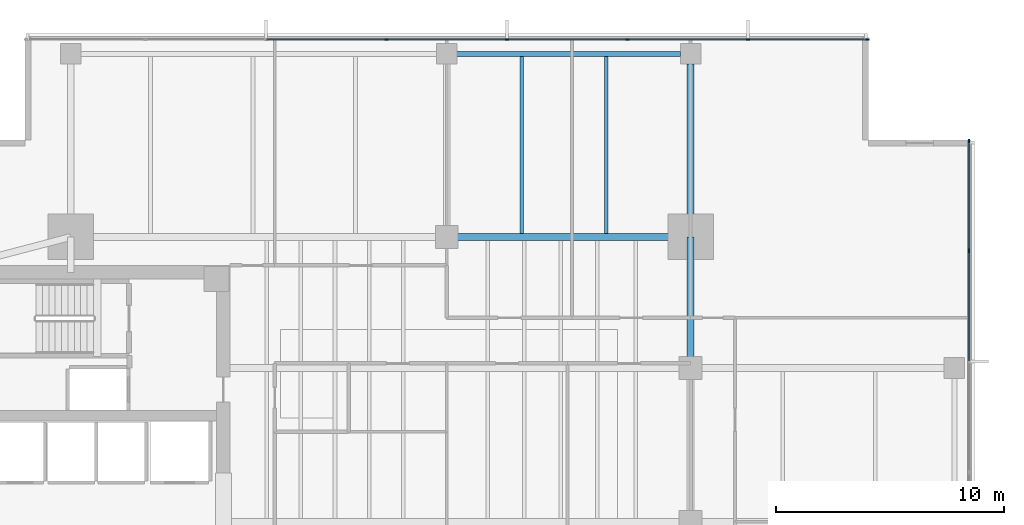
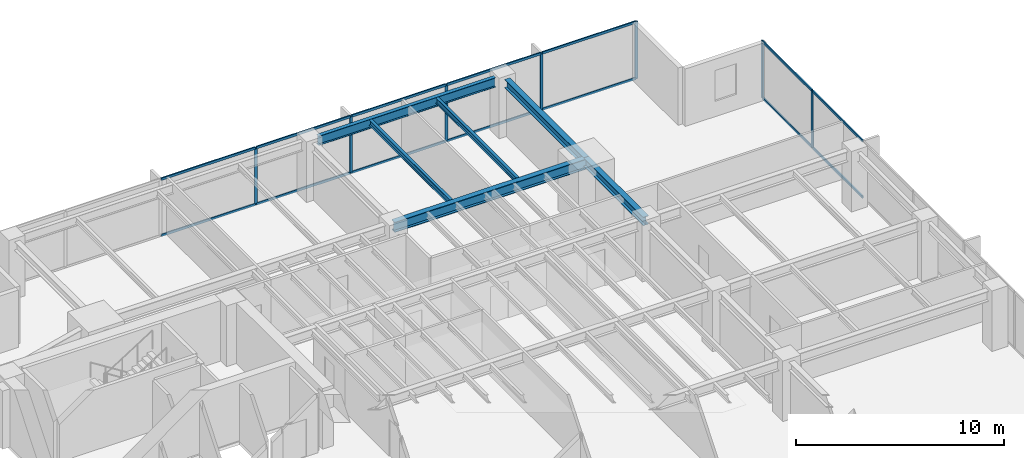
# One storey, part 6 of 14: 21 members, 6 beams, 2 elements without a shape of their own.
"""IFC4 building model written with IfcOpenShell, lengths in metres."""

from ifc_helpers import new_model, si_unit, direction, frame, origin, origin_2d, place, context, subcontext, project, spatial, rectangle, i_section, extrude, material, layer, layer_set, material_profile, profile_set, type_object, element, aggregate, save


model = new_model("IFC4")

# Units and contexts
model_context = context("Model", 3, precision=1e-05, world=origin(), true_north=direction((0.0, 1.0)))
body_context = subcontext(model_context, "Body", "Model", "MODEL_VIEW")
ifc_project = project(units=[si_unit("LENGTHUNIT", "METRE"), si_unit("AREAUNIT", "SQUARE_METRE"), si_unit("VOLUMEUNIT", "CUBIC_METRE"), si_unit("PLANEANGLEUNIT", "RADIAN"), si_unit("MASSUNIT", "GRAM", prefix="KILO")], contexts=[model_context])

# Site, building, storey
site_placement = place(None, origin())
site = spatial("IfcSite", under=ifc_project, at=site_placement, CompositionType="ELEMENT")
building_placement = place(site_placement, origin())
building = spatial("IfcBuilding", under=site, at=building_placement, Name="Kinhvarn Gate Tower", CompositionType="ELEMENT")
storey_placement = place(building_placement, frame((0.0, 0.0, 120.0)))
storey = spatial("IfcBuildingStorey", under=building, at=storey_placement, Name="L31", CompositionType="ELEMENT", Elevation=120.0)

# Curtain wall, members
ifc_material_1 = material(Name="Anodised aluminium AW-6063", Category="aluminium")
ifc_layer = layer(ifc_material_1, 0.179931640625)
ifc_layer_set = layer_set([ifc_layer], Name="Anodised aluminium AW-6063")
curtain_wall_type = type_object("IfcCurtainWallType", Name="CW-SYS-3", PredefinedType="NOTDEFINED", material=ifc_layer_set)
curtain_wall_1_placement = place(storey_placement, origin())
curtain_wall_1 = element("IfcCurtainWall", 1, at=curtain_wall_1_placement, inside=storey, type_object=curtain_wall_type, Name="Curtain Wall CW3 (L31)", PredefinedType="NOTDEFINED")
ifc_material_profile_1 = material_profile(ifc_material_1, rectangle(XDim=0.06494140625, YDim=0.159912109375, at=origin_2d()), Name="ALU 65x160")
ifc_profile_set_1 = profile_set([ifc_material_profile_1], Name="Anodised aluminium AW-6063")
member_type_1 = type_object("IfcMemberType", Name="CW-MUL-160", PredefinedType="MULLION", material=ifc_profile_set_1)
member_1_placement = place(storey_placement, frame((45.967529296875, 46.409912109375, 0.0), z_axis=(0.0, 0.0, 1.0), x_axis=(0.0, -1.0, 0.0)))
member_1 = element("IfcMember", 2, at=member_1_placement, type_object=member_type_1, Name="CW3 mullion 1", PredefinedType="MULLION", context=body_context, shape_type="SweptSolid", body=[
    extrude(rectangle(XDim=0.06494140625, YDim=0.159912109375, at=origin_2d()), origin(), (0.0, 0.0, 1.0), 3.3701171875),
])
member_2_placement = place(storey_placement, frame((40.71435546875, 46.409912109375, 0.0), z_axis=(0.0, 0.0, 1.0), x_axis=(0.0, -1.0, 0.0)))
member_2 = element("IfcMember", 3, at=member_2_placement, type_object=member_type_1, Name="CW3 mullion 2", PredefinedType="MULLION", context=body_context, shape_type="SweptSolid", body=[
    extrude(rectangle(XDim=0.06494140625, YDim=0.159912109375, at=origin_2d()), origin(), (0.0, 0.0, 1.0), 3.3701171875),
])
member_3_placement = place(storey_placement, frame((35.428466796875, 46.409912109375, 0.0), z_axis=(0.0, 0.0, 1.0), x_axis=(0.0, -1.0, 0.0)))
member_3 = element("IfcMember", 4, at=member_3_placement, type_object=member_type_1, Name="CW3 mullion 3", PredefinedType="MULLION", context=body_context, shape_type="SweptSolid", body=[
    extrude(rectangle(XDim=0.06494140625, YDim=0.159912109375, at=origin_2d()), origin(), (0.0, 0.0, 1.0), 3.3701171875),
])
member_4_placement = place(storey_placement, frame((30.142822265625, 46.409912109375, 0.0), z_axis=(0.0, 0.0, 1.0), x_axis=(0.0, -1.0, 0.0)))
member_4 = element("IfcMember", 5, at=member_4_placement, type_object=member_type_1, Name="CW3 mullion 4", PredefinedType="MULLION", context=body_context, shape_type="SweptSolid", body=[
    extrude(rectangle(XDim=0.06494140625, YDim=0.159912109375, at=origin_2d()), origin(), (0.0, 0.0, 1.0), 3.3701171875),
])
member_5_placement = place(storey_placement, frame((24.857177734375, 46.409912109375, 0.0), z_axis=(0.0, 0.0, 1.0), x_axis=(0.0, -1.0, 0.0)))
member_5 = element("IfcMember", 6, at=member_5_placement, type_object=member_type_1, Name="CW3 mullion 5", PredefinedType="MULLION", context=body_context, shape_type="SweptSolid", body=[
    extrude(rectangle(XDim=0.06494140625, YDim=0.159912109375, at=origin_2d()), origin(), (0.0, 0.0, 1.0), 3.3701171875),
])

curtain_wall_2_placement = place(storey_placement, origin())
curtain_wall_2 = element("IfcCurtainWall", 7, at=curtain_wall_2_placement, inside=storey, type_object=curtain_wall_type, Name="Curtain Wall CW3 (L31)", PredefinedType="NOTDEFINED")
member_6_placement = place(storey_placement, frame((50.409912109375, 37.142822265625, 0.0), z_axis=(0.0, 0.0, 1.0), x_axis=(-1.0, 0.0, 0.0)))
member_6 = element("IfcMember", 8, at=member_6_placement, type_object=member_type_1, Name="CW3 mullion 7", PredefinedType="MULLION", context=body_context, shape_type="SweptSolid", body=[
    extrude(rectangle(XDim=0.06494140625, YDim=0.159912109375, at=origin_2d()), origin(), (0.0, 0.0, 1.0), 3.3701171875),
])
member_7_placement = place(storey_placement, frame((50.409912109375, 41.967529296875, 0.0), z_axis=(0.0, 0.0, 1.0), x_axis=(-1.0, 0.0, 0.0)))
member_7 = element("IfcMember", 9, at=member_7_placement, type_object=member_type_1, Name="CW3 mullion 8", PredefinedType="MULLION", context=body_context, shape_type="SweptSolid", body=[
    extrude(rectangle(XDim=0.06494140625, YDim=0.159912109375, at=origin_2d()), origin(), (0.0, 0.0, 1.0), 3.3701171875),
])

# Member
ifc_material_profile_2 = material_profile(ifc_material_1, rectangle(XDim=0.070068359375, YDim=0.139892578125, at=origin_2d()), Name="ALU 70x140")
ifc_profile_set_2 = profile_set([ifc_material_profile_2], Name="Anodised aluminium AW-6063")
member_type_2 = type_object("IfcMemberType", Name="CW-TRN-140", PredefinedType="USERDEFINED", material=ifc_profile_set_2)
member_8_placement = place(storey_placement, frame((45.93505859375, 46.409912109375, 0.034912109375), z_axis=(-1.0, 0.0, 0.0), x_axis=(0.0, -1.0, 0.0)))
member_8 = element("IfcMember", 10, at=member_8_placement, type_object=member_type_2, Name="CW3 transom 1.1", ObjectType="TRANSOM", PredefinedType="USERDEFINED", context=body_context, shape_type="SweptSolid", body=[
    extrude(rectangle(XDim=0.070068359375, YDim=0.139892578125, at=origin_2d()), origin(), (0.0, 0.0, 1.0), 5.188232421875),
])

member_9_placement = place(storey_placement, frame((45.93505859375, 46.409912109375, 3.3349609375), z_axis=(-1.0, 0.0, 0.0), x_axis=(0.0, -1.0, 0.0)))
member_9 = element("IfcMember", 11, at=member_9_placement, type_object=member_type_2, Name="CW3 transom 1.2", ObjectType="TRANSOM", PredefinedType="USERDEFINED", context=body_context, shape_type="SweptSolid", body=[
    extrude(rectangle(XDim=0.070068359375, YDim=0.139892578125, at=origin_2d()), origin(), (0.0, 0.0, 1.0), 5.188232421875),
])

member_10_placement = place(storey_placement, frame((40.681884765625, 46.409912109375, 0.034912109375), z_axis=(-1.0, 0.0, 0.0), x_axis=(0.0, -1.0, 0.0)))
member_10 = element("IfcMember", 12, at=member_10_placement, type_object=member_type_2, Name="CW3 transom 2.1", ObjectType="TRANSOM", PredefinedType="USERDEFINED", context=body_context, shape_type="SweptSolid", body=[
    extrude(rectangle(XDim=0.070068359375, YDim=0.139892578125, at=origin_2d()), origin(), (0.0, 0.0, 1.0), 5.220703125),
])

member_11_placement = place(storey_placement, frame((40.681884765625, 46.409912109375, 3.3349609375), z_axis=(-1.0, 0.0, 0.0), x_axis=(0.0, -1.0, 0.0)))
member_11 = element("IfcMember", 13, at=member_11_placement, type_object=member_type_2, Name="CW3 transom 2.2", ObjectType="TRANSOM", PredefinedType="USERDEFINED", context=body_context, shape_type="SweptSolid", body=[
    extrude(rectangle(XDim=0.070068359375, YDim=0.139892578125, at=origin_2d()), origin(), (0.0, 0.0, 1.0), 5.220703125),
])

member_12_placement = place(storey_placement, frame((35.39599609375, 46.409912109375, 0.034912109375), z_axis=(-1.0, 0.0, 0.0), x_axis=(0.0, -1.0, 0.0)))
member_12 = element("IfcMember", 14, at=member_12_placement, type_object=member_type_2, Name="CW3 transom 3.1", ObjectType="TRANSOM", PredefinedType="USERDEFINED", context=body_context, shape_type="SweptSolid", body=[
    extrude(rectangle(XDim=0.070068359375, YDim=0.139892578125, at=origin_2d()), origin(), (0.0, 0.0, 1.0), 5.220703125),
])

member_13_placement = place(storey_placement, frame((35.39599609375, 46.409912109375, 3.3349609375), z_axis=(-1.0, 0.0, 0.0), x_axis=(0.0, -1.0, 0.0)))
member_13 = element("IfcMember", 15, at=member_13_placement, type_object=member_type_2, Name="CW3 transom 3.2", ObjectType="TRANSOM", PredefinedType="USERDEFINED", context=body_context, shape_type="SweptSolid", body=[
    extrude(rectangle(XDim=0.070068359375, YDim=0.139892578125, at=origin_2d()), origin(), (0.0, 0.0, 1.0), 5.220703125),
])

member_14_placement = place(storey_placement, frame((30.1103515625, 46.409912109375, 0.034912109375), z_axis=(-1.0, 0.0, 0.0), x_axis=(0.0, -1.0, 0.0)))
member_14 = element("IfcMember", 16, at=member_14_placement, type_object=member_type_2, Name="CW3 transom 4.1", ObjectType="TRANSOM", PredefinedType="USERDEFINED", context=body_context, shape_type="SweptSolid", body=[
    extrude(rectangle(XDim=0.070068359375, YDim=0.139892578125, at=origin_2d()), origin(), (0.0, 0.0, 1.0), 5.220703125),
])

member_15_placement = place(storey_placement, frame((30.1103515625, 46.409912109375, 3.3349609375), z_axis=(-1.0, 0.0, 0.0), x_axis=(0.0, -1.0, 0.0)))
member_15 = element("IfcMember", 17, at=member_15_placement, type_object=member_type_2, Name="CW3 transom 4.2", ObjectType="TRANSOM", PredefinedType="USERDEFINED", context=body_context, shape_type="SweptSolid", body=[
    extrude(rectangle(XDim=0.070068359375, YDim=0.139892578125, at=origin_2d()), origin(), (0.0, 0.0, 1.0), 5.220703125),
])

member_16_placement = place(storey_placement, frame((24.82470703125, 46.409912109375, 0.034912109375), z_axis=(-1.0, 0.0, 0.0), x_axis=(0.0, -1.0, 0.0)))
member_16 = element("IfcMember", 18, at=member_16_placement, type_object=member_type_2, Name="CW3 transom 5.1", ObjectType="TRANSOM", PredefinedType="USERDEFINED", context=body_context, shape_type="SweptSolid", body=[
    extrude(rectangle(XDim=0.070068359375, YDim=0.139892578125, at=origin_2d()), origin(), (0.0, 0.0, 1.0), 5.220703125),
])

member_17_placement = place(storey_placement, frame((24.82470703125, 46.409912109375, 3.3349609375), z_axis=(-1.0, 0.0, 0.0), x_axis=(0.0, -1.0, 0.0)))
member_17 = element("IfcMember", 19, at=member_17_placement, type_object=member_type_2, Name="CW3 transom 5.2", ObjectType="TRANSOM", PredefinedType="USERDEFINED", context=body_context, shape_type="SweptSolid", body=[
    extrude(rectangle(XDim=0.070068359375, YDim=0.139892578125, at=origin_2d()), origin(), (0.0, 0.0, 1.0), 5.220703125),
])

aggregate(curtain_wall_1, [member_1, member_2, member_3, member_4, member_5, member_8, member_9, member_10, member_11, member_12, member_13, member_14, member_15, member_16, member_17])

member_18_placement = place(storey_placement, frame((50.409912109375, 32.318115234375, 0.034912109375), z_axis=(0.0, 1.0, 0.0), x_axis=(-1.0, 0.0, 0.0)))
member_18 = element("IfcMember", 20, at=member_18_placement, type_object=member_type_2, Name="CW3 transom 6.1", ObjectType="TRANSOM", PredefinedType="USERDEFINED", context=body_context, shape_type="SweptSolid", body=[
    extrude(rectangle(XDim=0.070068359375, YDim=0.139892578125, at=origin_2d()), origin(), (0.0, 0.0, 1.0), 4.792236328125),
])

member_19_placement = place(storey_placement, frame((50.409912109375, 32.318115234375, 3.3349609375), z_axis=(0.0, 1.0, 0.0), x_axis=(-1.0, 0.0, 0.0)))
member_19 = element("IfcMember", 21, at=member_19_placement, type_object=member_type_2, Name="CW3 transom 6.2", ObjectType="TRANSOM", PredefinedType="USERDEFINED", context=body_context, shape_type="SweptSolid", body=[
    extrude(rectangle(XDim=0.070068359375, YDim=0.139892578125, at=origin_2d()), origin(), (0.0, 0.0, 1.0), 4.792236328125),
])

member_20_placement = place(storey_placement, frame((50.409912109375, 37.17529296875, 0.034912109375), z_axis=(0.0, 1.0, 0.0), x_axis=(-1.0, 0.0, 0.0)))
member_20 = element("IfcMember", 22, at=member_20_placement, type_object=member_type_2, Name="CW3 transom 7.1", ObjectType="TRANSOM", PredefinedType="USERDEFINED", context=body_context, shape_type="SweptSolid", body=[
    extrude(rectangle(XDim=0.070068359375, YDim=0.139892578125, at=origin_2d()), origin(), (0.0, 0.0, 1.0), 4.759765625),
])

member_21_placement = place(storey_placement, frame((50.409912109375, 37.17529296875, 3.3349609375), z_axis=(0.0, 1.0, 0.0), x_axis=(-1.0, 0.0, 0.0)))
member_21 = element("IfcMember", 23, at=member_21_placement, type_object=member_type_2, Name="CW3 transom 7.2", ObjectType="TRANSOM", PredefinedType="USERDEFINED", context=body_context, shape_type="SweptSolid", body=[
    extrude(rectangle(XDim=0.070068359375, YDim=0.139892578125, at=origin_2d()), origin(), (0.0, 0.0, 1.0), 4.759765625),
])

aggregate(curtain_wall_2, [member_6, member_7, member_18, member_19, member_20, member_21])

# Beams
ifc_material_2 = material(Name="Steel S355", Category="steel")
ifc_material_profile_3 = material_profile(ifc_material_2, i_section(OverallWidth=0.300048828125, OverallDepth=0.5, WebThickness=0.014404296875, FlangeThickness=0.028076171875, at=origin_2d()), Name="HEB 500")
ifc_profile_set_3 = profile_set([ifc_material_profile_3], Name="Steel S355")
beam_type_1 = type_object("IfcBeamType", Name="STL-HEB500", PredefinedType="BEAM", material=ifc_profile_set_3)
beam_1_placement = place(storey_placement, frame((38.199951171875, 37.75, 3.1201171875), z_axis=(0.0, 1.0, 0.0), x_axis=(-1.0, 0.0, 0.0)))
element("IfcBeam", 24, at=beam_1_placement, inside=storey, type_object=beam_type_1, Name="Floor Beam PG-14 (L31 MCE-N)", PredefinedType="BEAM", context=body_context, shape_type="SweptSolid", body=[
    extrude(i_section(OverallWidth=0.300048828125, OverallDepth=0.5, WebThickness=0.014404296875, FlangeThickness=0.028076171875, at=origin_2d()), origin(), (0.0, 0.0, 1.0), 7.594970703125),
])
beam_2_placement = place(storey_placement, frame((38.199951171875, 32.0, 3.1201171875), z_axis=(0.0, 1.0, 0.0), x_axis=(-1.0, 0.0, 0.0)))
element("IfcBeam", 25, at=beam_2_placement, inside=storey, type_object=beam_type_1, Name="Floor Beam PG-14 (L31 MG-E-32)", PredefinedType="BEAM", context=body_context, shape_type="SweptSolid", body=[
    extrude(i_section(OverallWidth=0.300048828125, OverallDepth=0.5, WebThickness=0.014404296875, FlangeThickness=0.028076171875, at=origin_2d()), origin(), (0.0, 0.0, 1.0), 5.75),
])
ifc_material_profile_4 = material_profile(ifc_material_2, i_section(OverallWidth=0.300048828125, OverallDepth=0.60009765625, WebThickness=0.015380859375, FlangeThickness=0.030029296875, at=origin_2d()), Name="HEB 600")
ifc_profile_set_4 = profile_set([ifc_material_profile_4], Name="Steel S355")
beam_type_2 = type_object("IfcBeamType", Name="STL-HEB600", PredefinedType="BEAM", material=ifc_profile_set_4)
beam_3_placement = place(storey_placement, frame((27.5, 37.75, 3.070068359375), z_axis=(1.0, 0.0, 0.0), x_axis=(0.0, 1.0, 0.0)))
element("IfcBeam", 26, at=beam_3_placement, inside=storey, type_object=beam_type_2, Name="Floor Beam PG-16 (L31 MG-N2)", PredefinedType="BEAM", context=body_context, shape_type="SweptSolid", body=[
    extrude(i_section(OverallWidth=0.300048828125, OverallDepth=0.60009765625, WebThickness=0.015380859375, FlangeThickness=0.030029296875, at=origin_2d()), origin(), (0.0, 0.0, 1.0), 10.699951171875),
])
ifc_material_profile_5 = material_profile(ifc_material_2, i_section(OverallWidth=0.159912109375, OverallDepth=0.330078125, WebThickness=0.007568359375, FlangeThickness=0.011474609375, at=origin_2d()), Name="IPE 330")
ifc_profile_set_5 = profile_set([ifc_material_profile_5], Name="Steel S355")
beam_type_3 = type_object("IfcBeamType", Name="STL-IPE330", PredefinedType="JOIST", material=ifc_profile_set_5)
for number, where, z_axis, x_axis, name in (
    (27, (30.800048828125, 37.89990234375, 3.205078125), (0.0, 1.0, 0.0), (-1.0, 0.0, 0.0), "Floor Joist SB-03 (L31 JN-X308)"),
    (28, (34.5, 37.89990234375, 3.205078125), (0.0, 1.0, 0.0), (-1.0, 0.0, 0.0), "Floor Joist SB-03 (L31 JN-X345)"),
):
    element("IfcBeam", number, at=place(storey_placement, frame(where, z_axis=z_axis, x_axis=x_axis)), inside=storey, type_object=beam_type_3, Name=name, PredefinedType="JOIST", context=body_context, shape_type="SweptSolid", body=[
        extrude(i_section(OverallWidth=0.159912109375, OverallDepth=0.330078125, WebThickness=0.007568359375, FlangeThickness=0.011474609375, at=origin_2d()), origin(), (0.0, 0.0, 1.0), 7.775146484375),
    ])
ifc_material_profile_6 = material_profile(ifc_material_2, i_section(OverallWidth=0.2099609375, OverallDepth=0.550048828125, WebThickness=0.010986328125, FlangeThickness=0.01708984375, at=origin_2d()), Name="IPE 550")
ifc_profile_set_6 = profile_set([ifc_material_profile_6], Name="Steel S355")
beam_type_4 = type_object("IfcBeamType", Name="STL-IPE550", PredefinedType="SPANDREL", material=ifc_profile_set_6)
beam_4_placement = place(storey_placement, frame((27.93505859375, 45.780029296875, 3.094970703125), z_axis=(1.0, 0.0, 0.0), x_axis=(0.0, 1.0, 0.0)))
element("IfcBeam", 29, at=beam_4_placement, inside=storey, type_object=beam_type_4, Name="Floor Spandrel SB-08 (L31 SP-N2)", PredefinedType="SPANDREL", context=body_context, shape_type="SweptSolid", body=[
    extrude(i_section(OverallWidth=0.2099609375, OverallDepth=0.550048828125, WebThickness=0.010986328125, FlangeThickness=0.01708984375, at=origin_2d()), origin(), (0.0, 0.0, 1.0), 9.829833984375),
])

save(model, "model.ifc")
